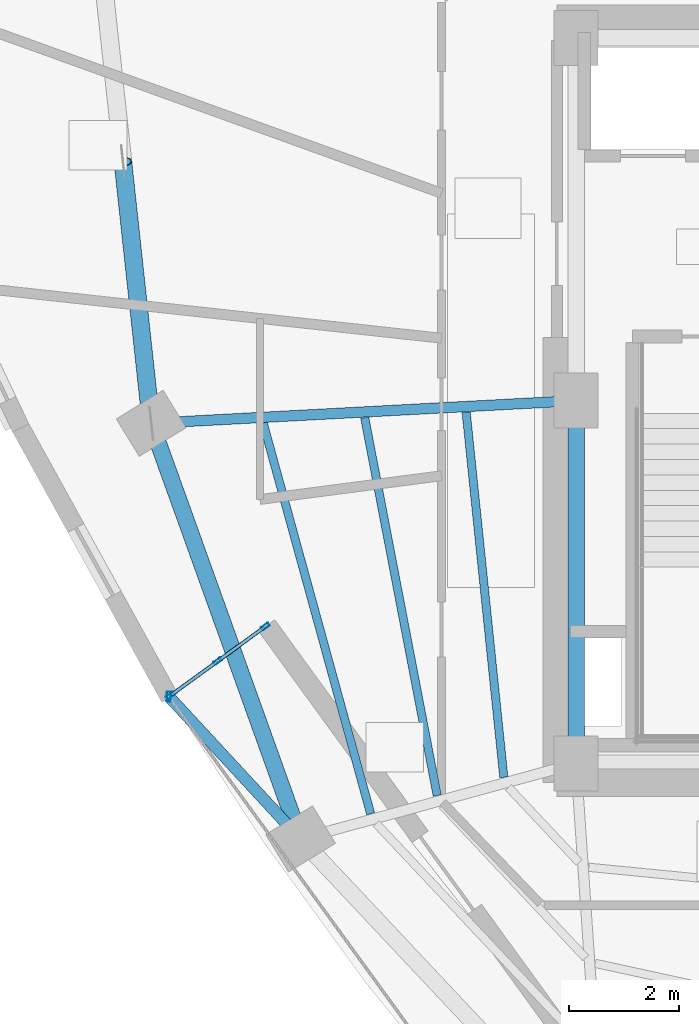
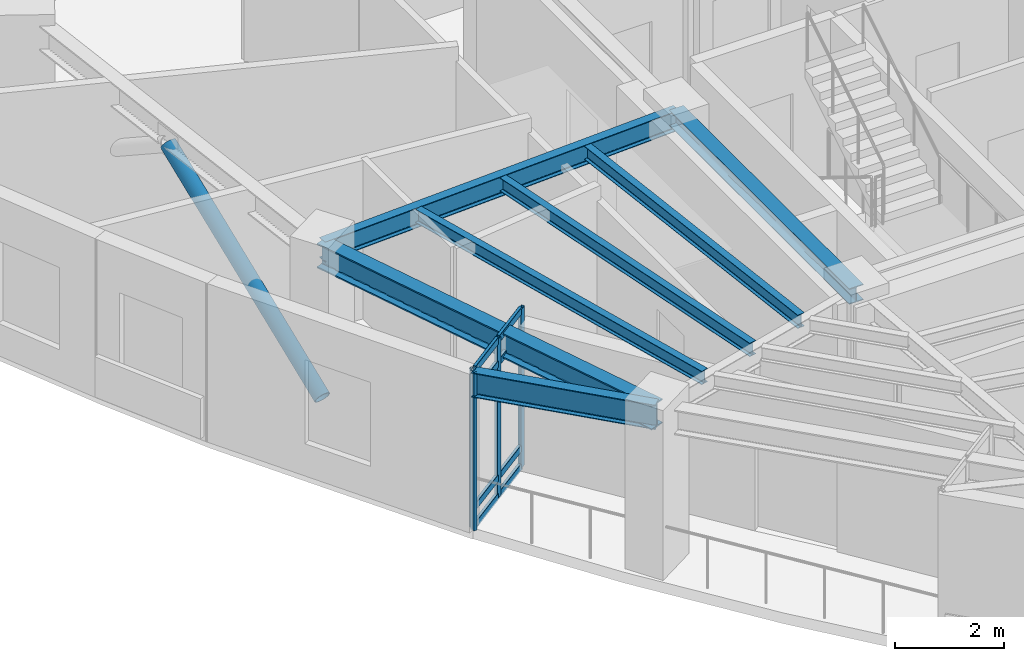
# One storey, part 4 of 13: 13 members, 7 beams, 1 element without a shape of its own.
"""IFC4 building model written with IfcOpenShell, lengths in metres."""

from ifc_helpers import new_model, si_unit, direction, frame, origin, origin_2d, place, context, subcontext, project, spatial, hollow_rectangle, hollow_circle, i_section, extrude, material, layer, layer_set, material_profile, profile_set, type_object, element, aggregate, save


model = new_model("IFC4")

# Units and contexts
model_context = context("Model", 3, precision=1e-05, world=origin(), true_north=direction((0.0, 1.0)))
body_context = subcontext(model_context, "Body", "Model", "MODEL_VIEW")
ifc_project = project(units=[si_unit("LENGTHUNIT", "METRE"), si_unit("AREAUNIT", "SQUARE_METRE"), si_unit("VOLUMEUNIT", "CUBIC_METRE"), si_unit("PLANEANGLEUNIT", "RADIAN"), si_unit("MASSUNIT", "GRAM", prefix="KILO")], contexts=[model_context])

# Site, building, storey
site_placement = place(None, origin())
site = spatial("IfcSite", under=ifc_project, at=site_placement, CompositionType="ELEMENT")
building_placement = place(site_placement, origin())
building = spatial("IfcBuilding", under=site, at=building_placement, Name="Ndelora Gate Hotel", CompositionType="ELEMENT")
storey_placement = place(building_placement, frame((0.0, 0.0, 228.35009765625)))
storey = spatial("IfcBuildingStorey", under=building, at=storey_placement, Name="L57", CompositionType="ELEMENT", Elevation=228.35009765625)

# Beams
ifc_material_1 = material(Name="Steel S355", Category="steel")
ifc_material_profile_1 = material_profile(ifc_material_1, i_section(OverallWidth=0.300048828125, OverallDepth=0.35009765625, WebThickness=0.010009765625, FlangeThickness=0.017578125, FilletRadius=0.027099609375, at=origin_2d()), Name="HEA 360")
ifc_profile_set_1 = profile_set([ifc_material_profile_1], Name="Steel S355")
beam_type_1 = type_object("IfcBeamType", Name="BM-CORE-350", PredefinedType="BEAM", material=ifc_profile_set_1)
beam_1_placement = place(storey_placement, frame((-8.0, -6.60009765625, 3.375), z_axis=(0.0, 1.0, 0.0), x_axis=(-1.0, 0.0, 0.0)))
element("IfcBeam", 1, at=beam_1_placement, inside=storey, type_object=beam_type_1, Name="L57 Core Tie Girder CC1-CC8", PredefinedType="BEAM", context=body_context, shape_type="SweptSolid", body=[
    extrude(i_section(OverallWidth=0.300048828125, OverallDepth=0.35009765625, WebThickness=0.010009765625, FlangeThickness=0.017578125, FilletRadius=0.027099609375, at=origin_2d()), origin(), (0.0, 0.0, 1.0), 6.60009765625),
])
ifc_material_profile_2 = material_profile(ifc_material_1, i_section(OverallWidth=0.14990234375, OverallDepth=0.300048828125, WebThickness=0.007080078125, FlangeThickness=0.0107421875, FilletRadius=0.014892578125, at=origin_2d()), Name="IPE 300")
ifc_profile_set_2 = profile_set([ifc_material_profile_2], Name="Steel S355")
beam_type_2 = type_object("IfcBeamType", Name="BM-JST-300", PredefinedType="JOIST", material=ifc_profile_set_2)
beam_2_placement = place(storey_placement, frame((-9.9990234375, -0.21142578125, 3.39990234375), z_axis=(0.10260596827, -0.994722079415, 0.0), x_axis=(0.994722079415, 0.10260596827, 0.0)))
element("IfcBeam", 2, at=beam_2_placement, inside=storey, type_object=beam_type_2, Name="L57 Secondary Composite Floor Joist IN-2", PredefinedType="JOIST", context=body_context, shape_type="SweptSolid", body=[
    extrude(i_section(OverallWidth=0.14990234375, OverallDepth=0.300048828125, WebThickness=0.007080078125, FlangeThickness=0.0107421875, FilletRadius=0.014892578125, at=origin_2d()), origin(), (0.0, 0.0, 1.0), 6.676513671875),
])
beam_3_placement = place(storey_placement, frame((-11.84521484375, -0.30908203125, 3.39990234375), z_axis=(0.188470955684, -0.982078764083, 0.0), x_axis=(0.982078764083, 0.188470955684, 0.0)))
element("IfcBeam", 3, at=beam_3_placement, inside=storey, type_object=beam_type_2, Name="L57 Secondary Composite Floor Joist MID-2", PredefinedType="JOIST", context=body_context, shape_type="SweptSolid", body=[
    extrude(i_section(OverallWidth=0.14990234375, OverallDepth=0.300048828125, WebThickness=0.007080078125, FlangeThickness=0.0107421875, FilletRadius=0.014892578125, at=origin_2d()), origin(), (0.0, 0.0, 1.0), 7.000244140625),
])
beam_4_placement = place(storey_placement, frame((-13.6923828125, -0.406005859375, 3.39990234375), z_axis=(0.2652180483, -0.964188460238, 0.0), x_axis=(0.964188460238, 0.2652180483, 0.0)))
element("IfcBeam", 4, at=beam_4_placement, inside=storey, type_object=beam_type_2, Name="L57 Secondary Composite Floor Joist OUT-2", PredefinedType="JOIST", context=body_context, shape_type="SweptSolid", body=[
    extrude(i_section(OverallWidth=0.14990234375, OverallDepth=0.300048828125, WebThickness=0.007080078125, FlangeThickness=0.0107421875, FilletRadius=0.014892578125, at=origin_2d()), origin(), (0.0, 0.0, 1.0), 7.37353515625),
])
ifc_material_profile_3 = material_profile(ifc_material_1, i_section(OverallWidth=0.18994140625, OverallDepth=0.449951171875, WebThickness=0.009521484375, FlangeThickness=0.0146484375, FilletRadius=0.02099609375, at=origin_2d()), Name="IPE 450")
ifc_profile_set_3 = profile_set([ifc_material_profile_3], Name="Steel S355")
beam_type_3 = type_object("IfcBeamType", Name="BM-RAD-450", PredefinedType="BEAM", material=ifc_profile_set_3)
beam_5_placement = place(storey_placement, frame((-8.0, 0.0, 3.324951171875), z_axis=(-0.998583554121, -0.053206065814, 0.0), x_axis=(0.053206065814, -0.998583554121, 0.0)))
element("IfcBeam", 5, at=beam_5_placement, inside=storey, type_object=beam_type_3, Name="L57 Radial Floor Girder 2", PredefinedType="BEAM", context=body_context, shape_type="SweptSolid", body=[
    extrude(i_section(OverallWidth=0.18994140625, OverallDepth=0.449951171875, WebThickness=0.009521484375, FlangeThickness=0.0146484375, FilletRadius=0.02099609375, at=origin_2d()), origin(), (0.0, 0.0, 1.0), 7.740966796875),
])
ifc_material_profile_4 = material_profile(ifc_material_1, i_section(OverallWidth=0.2099609375, OverallDepth=0.550048828125, WebThickness=0.010986328125, FlangeThickness=0.01708984375, FilletRadius=0.02392578125, at=origin_2d()), Name="IPE 550")
ifc_profile_set_4 = profile_set([ifc_material_profile_4], Name="Steel S355")
beam_type_4 = type_object("IfcBeamType", Name="BM-RAD-550", PredefinedType="BEAM", material=ifc_profile_set_4)
beam_6_placement = place(storey_placement, frame((-13.011962890625, -7.973876953125, 3.27490234375), z_axis=(-0.679096061615, 0.734049411892, 0.0), x_axis=(-0.734049411892, -0.679096061615, 0.0)))
element("IfcBeam", 6, at=beam_6_placement, inside=storey, type_object=beam_type_4, Name="L57 Sky-Garden Loggia Column Bracket 1", PredefinedType="BEAM", context=body_context, shape_type="SweptSolid", body=[
    extrude(i_section(OverallWidth=0.2099609375, OverallDepth=0.550048828125, WebThickness=0.010986328125, FlangeThickness=0.01708984375, FilletRadius=0.02392578125, at=origin_2d()), origin(), (0.0, 0.0, 1.0), 3.527587890625),
])
ifc_material_profile_5 = material_profile(ifc_material_1, i_section(OverallWidth=0.300048828125, OverallDepth=0.550048828125, WebThickness=0.014892578125, FlangeThickness=0.029052734375, FilletRadius=0.027099609375, at=origin_2d()), Name="HEB 550")
ifc_profile_set_5 = profile_set([ifc_material_profile_5], Name="Steel S355")
beam_type_5 = type_object("IfcBeamType", Name="BM-RING-550", PredefinedType="SPANDREL", material=ifc_profile_set_5)
beam_7_placement = place(storey_placement, frame((-15.72998046875, -0.411865234375, 3.27490234375), z_axis=(0.338244972382, -0.941058095262, 0.0), x_axis=(0.941058095262, 0.338244972382, 0.0)))
element("IfcBeam", 7, at=beam_7_placement, inside=storey, type_object=beam_type_5, Name="L57 Perimeter Spandrel Girder 2", PredefinedType="SPANDREL", context=body_context, shape_type="SweptSolid", body=[
    extrude(i_section(OverallWidth=0.300048828125, OverallDepth=0.550048828125, WebThickness=0.014892578125, FlangeThickness=0.029052734375, FilletRadius=0.027099609375, at=origin_2d()), origin(), (0.0, 0.0, 1.0), 8.03564453125),
])

# Curtain wall, members
ifc_material_2 = material(Name="Bronze Anodised Unitised Aluminium and Low-E Glass", Category="aluminium")
ifc_layer = layer(ifc_material_2, 0.199951171875)
ifc_layer_set = layer_set([ifc_layer], Name="Bronze Anodised Unitised Aluminium and Low-E Glass")
curtain_wall_type = type_object("IfcCurtainWallType", Name="CW-SYS-3", PredefinedType="NOTDEFINED", material=ifc_layer_set)
curtain_wall_placement = place(storey_placement, origin())
curtain_wall = element("IfcCurtainWall", 8, at=curtain_wall_placement, inside=storey, type_object=curtain_wall_type, Name="L57 Sky-Garden Loggia Side Curtain Wall CW3-1", PredefinedType="NOTDEFINED")
ifc_material_3 = material(Name="Bronze Anodised Aluminium 6063-T6", Category="aluminium")
ifc_material_profile_6 = material_profile(ifc_material_3, hollow_rectangle(XDim=0.06494140625, YDim=0.159912109375, WallThickness=0.00390625, InnerFilletRadius=0.00390625, OuterFilletRadius=0.008056640625, at=origin_2d()), Name="ALU 160x65x4")
ifc_profile_set_6 = profile_set([ifc_material_profile_6], Name="Bronze Anodised Aluminium 6063-T6")
member_type_1 = type_object("IfcMemberType", Name="MB-CW-MUL150", PredefinedType="MULLION", material=ifc_profile_set_6)
member_1_placement = place(storey_placement, frame((-13.65380859375, -4.110595703125, -0.004150390625), z_axis=(0.0, 0.0, 1.0), x_axis=(0.587785135859, -0.809017078969, 0.0)))
member_1 = element("IfcMember", 9, at=member_1_placement, type_object=member_type_1, Name="CW3 mullion 1", PredefinedType="MULLION", context=body_context, shape_type="SweptSolid", body=[
    extrude(hollow_rectangle(XDim=0.06494140625, YDim=0.159912109375, WallThickness=0.00390625, InnerFilletRadius=0.00390625, OuterFilletRadius=0.008056640625, at=origin_2d()), origin(), (0.0, 0.0, 1.0), 3.55810546875),
])
member_2_placement = place(storey_placement, frame((-14.517578125, -4.738037109375, -0.004150390625), z_axis=(0.0, 0.0, 1.0), x_axis=(0.587785135859, -0.809017078969, 0.0)))
member_2 = element("IfcMember", 10, at=member_2_placement, type_object=member_type_1, Name="CW3 mullion 2", PredefinedType="MULLION", context=body_context, shape_type="SweptSolid", body=[
    extrude(hollow_rectangle(XDim=0.06494140625, YDim=0.159912109375, WallThickness=0.00390625, InnerFilletRadius=0.00390625, OuterFilletRadius=0.008056640625, at=origin_2d()), origin(), (0.0, 0.0, 1.0), 3.55810546875),
])
member_3_placement = place(storey_placement, frame((-15.381103515625, -5.365478515625, -0.004150390625), z_axis=(0.0, 0.0, 1.0), x_axis=(0.587785135859, -0.809017078969, 0.0)))
member_3 = element("IfcMember", 11, at=member_3_placement, type_object=member_type_1, Name="CW3 mullion 3", PredefinedType="MULLION", context=body_context, shape_type="SweptSolid", body=[
    extrude(hollow_rectangle(XDim=0.06494140625, YDim=0.159912109375, WallThickness=0.00390625, InnerFilletRadius=0.00390625, OuterFilletRadius=0.008056640625, at=origin_2d()), origin(), (0.0, 0.0, 1.0), 3.55810546875),
])
ifc_material_profile_7 = material_profile(ifc_material_3, hollow_rectangle(XDim=0.070068359375, YDim=0.179931640625, WallThickness=0.0048828125, InnerFilletRadius=0.0048828125, OuterFilletRadius=0.010009765625, at=origin_2d()), Name="ALU 180x70x5")
ifc_profile_set_7 = profile_set([ifc_material_profile_7], Name="Bronze Anodised Aluminium 6063-T6")
member_type_2 = type_object("IfcMemberType", Name="MB-CW-MUL180", PredefinedType="MULLION", material=ifc_profile_set_7)
member_4_placement = place(storey_placement, frame((-15.407470703125, -5.384521484375, 0.0), z_axis=(0.0, 0.0, 1.0), x_axis=(1.0, 0.0, 0.0)))
member_4 = element("IfcMember", 12, at=member_4_placement, type_object=member_type_2, Name="L57 Sky-Garden Loggia Corner Mullion Post 1", PredefinedType="MULLION", context=body_context, shape_type="SweptSolid", body=[
    extrude(hollow_rectangle(XDim=0.070068359375, YDim=0.179931640625, WallThickness=0.0048828125, InnerFilletRadius=0.0048828125, OuterFilletRadius=0.010009765625, at=origin_2d()), origin(), (0.0, 0.0, 1.0), 3.5498046875),
])
ifc_material_profile_8 = material_profile(ifc_material_3, hollow_rectangle(XDim=0.06494140625, YDim=0.159912109375, WallThickness=0.00390625, InnerFilletRadius=0.00390625, OuterFilletRadius=0.008056640625, at=origin_2d()), Name="ALU 160x65x4")
ifc_profile_set_8 = profile_set([ifc_material_profile_8], Name="Bronze Anodised Aluminium 6063-T6")
member_type_3 = type_object("IfcMemberType", Name="MB-CW-TRN150", PredefinedType="USERDEFINED", material=ifc_profile_set_8)
member_5_placement = place(storey_placement, frame((-13.67529296875, -4.126220703125, 0.032470703125), z_axis=(-0.809089769205, -0.58768507329, 0.0), x_axis=(0.58768507329, -0.809089769205, 0.0)))
member_5 = element("IfcMember", 13, at=member_5_placement, type_object=member_type_3, Name="CW3 transom 1.1", ObjectType="TRANSOM", PredefinedType="USERDEFINED", context=body_context, shape_type="SweptSolid", body=[
    extrude(hollow_rectangle(XDim=0.06494140625, YDim=0.159912109375, WallThickness=0.00390625, InnerFilletRadius=0.00390625, OuterFilletRadius=0.008056640625, at=origin_2d()), origin(), (0.0, 0.0, 1.0), 1.014404296875),
])
member_6_placement = place(storey_placement, frame((-13.67529296875, -4.126220703125, 0.449951171875), z_axis=(-0.809089769205, -0.58768507329, 0.0), x_axis=(0.58768507329, -0.809089769205, 0.0)))
member_6 = element("IfcMember", 14, at=member_6_placement, type_object=member_type_3, Name="CW3 transom 1.2", ObjectType="TRANSOM", PredefinedType="USERDEFINED", context=body_context, shape_type="SweptSolid", body=[
    extrude(hollow_rectangle(XDim=0.06494140625, YDim=0.159912109375, WallThickness=0.00390625, InnerFilletRadius=0.00390625, OuterFilletRadius=0.008056640625, at=origin_2d()), origin(), (0.0, 0.0, 1.0), 1.014404296875),
])
member_7_placement = place(storey_placement, frame((-13.67529296875, -4.126220703125, 3.0), z_axis=(-0.809089769205, -0.58768507329, 0.0), x_axis=(0.58768507329, -0.809089769205, 0.0)))
member_7 = element("IfcMember", 15, at=member_7_placement, type_object=member_type_3, Name="CW3 transom 1.3", ObjectType="TRANSOM", PredefinedType="USERDEFINED", context=body_context, shape_type="SweptSolid", body=[
    extrude(hollow_rectangle(XDim=0.06494140625, YDim=0.159912109375, WallThickness=0.00390625, InnerFilletRadius=0.00390625, OuterFilletRadius=0.008056640625, at=origin_2d()), origin(), (0.0, 0.0, 1.0), 1.014404296875),
])
member_8_placement = place(storey_placement, frame((-13.67529296875, -4.126220703125, 3.517333984375), z_axis=(-0.809089769205, -0.58768507329, 0.0), x_axis=(0.58768507329, -0.809089769205, 0.0)))
member_8 = element("IfcMember", 16, at=member_8_placement, type_object=member_type_3, Name="CW3 transom 1.4", ObjectType="TRANSOM", PredefinedType="USERDEFINED", context=body_context, shape_type="SweptSolid", body=[
    extrude(hollow_rectangle(XDim=0.06494140625, YDim=0.159912109375, WallThickness=0.00390625, InnerFilletRadius=0.00390625, OuterFilletRadius=0.008056640625, at=origin_2d()), origin(), (0.0, 0.0, 1.0), 1.014404296875),
])
member_9_placement = place(storey_placement, frame((-14.538818359375, -4.753662109375, 0.032470703125), z_axis=(-0.809089769205, -0.58768507329, 0.0), x_axis=(0.58768507329, -0.809089769205, 0.0)))
member_9 = element("IfcMember", 17, at=member_9_placement, type_object=member_type_3, Name="CW3 transom 2.1", ObjectType="TRANSOM", PredefinedType="USERDEFINED", context=body_context, shape_type="SweptSolid", body=[
    extrude(hollow_rectangle(XDim=0.06494140625, YDim=0.159912109375, WallThickness=0.00390625, InnerFilletRadius=0.00390625, OuterFilletRadius=0.008056640625, at=origin_2d()), origin(), (0.0, 0.0, 1.0), 1.014404296875),
])
member_10_placement = place(storey_placement, frame((-14.538818359375, -4.753662109375, 0.449951171875), z_axis=(-0.809089769205, -0.58768507329, 0.0), x_axis=(0.58768507329, -0.809089769205, 0.0)))
member_10 = element("IfcMember", 18, at=member_10_placement, type_object=member_type_3, Name="CW3 transom 2.2", ObjectType="TRANSOM", PredefinedType="USERDEFINED", context=body_context, shape_type="SweptSolid", body=[
    extrude(hollow_rectangle(XDim=0.06494140625, YDim=0.159912109375, WallThickness=0.00390625, InnerFilletRadius=0.00390625, OuterFilletRadius=0.008056640625, at=origin_2d()), origin(), (0.0, 0.0, 1.0), 1.014404296875),
])
member_11_placement = place(storey_placement, frame((-14.538818359375, -4.753662109375, 3.0), z_axis=(-0.809089769205, -0.58768507329, 0.0), x_axis=(0.58768507329, -0.809089769205, 0.0)))
member_11 = element("IfcMember", 19, at=member_11_placement, type_object=member_type_3, Name="CW3 transom 2.3", ObjectType="TRANSOM", PredefinedType="USERDEFINED", context=body_context, shape_type="SweptSolid", body=[
    extrude(hollow_rectangle(XDim=0.06494140625, YDim=0.159912109375, WallThickness=0.00390625, InnerFilletRadius=0.00390625, OuterFilletRadius=0.008056640625, at=origin_2d()), origin(), (0.0, 0.0, 1.0), 1.014404296875),
])
member_12_placement = place(storey_placement, frame((-14.538818359375, -4.753662109375, 3.517333984375), z_axis=(-0.809089769205, -0.58768507329, 0.0), x_axis=(0.58768507329, -0.809089769205, 0.0)))
member_12 = element("IfcMember", 20, at=member_12_placement, type_object=member_type_3, Name="CW3 transom 2.4", ObjectType="TRANSOM", PredefinedType="USERDEFINED", context=body_context, shape_type="SweptSolid", body=[
    extrude(hollow_rectangle(XDim=0.06494140625, YDim=0.159912109375, WallThickness=0.00390625, InnerFilletRadius=0.00390625, OuterFilletRadius=0.008056640625, at=origin_2d()), origin(), (0.0, 0.0, 1.0), 1.014404296875),
])
aggregate(curtain_wall, [member_1, member_2, member_3, member_5, member_6, member_7, member_8, member_9, member_10, member_11, member_12, member_4])

# Member
ifc_material_profile_9 = material_profile(ifc_material_1, hollow_circle(Radius=0.161865234375, WallThickness=0.01611328125, at=origin_2d()), Name="CHS 323.9x16")
ifc_profile_set_9 = profile_set([ifc_material_profile_9], Name="Steel S355")
member_type_4 = type_object("IfcMemberType", Name="MB-TUBE-324", PredefinedType="BRACE", material=ifc_profile_set_9)
member_13_placement = place(storey_placement, frame((-15.72998046875, -0.411865234375, 0.02001953125), z_axis=(-0.091316139457, 0.843851231796, 0.528749904276), x_axis=(-0.994195839876, -0.107585463576, 0.0)))
element("IfcMember", 21, at=member_13_placement, inside=storey, type_object=member_type_4, Name="L57 Perimeter Braced-Tube Diagonal 1B", PredefinedType="BRACE", context=body_context, shape_type="SweptSolid", body=[
    extrude(hollow_circle(Radius=0.161865234375, WallThickness=0.01611328125, at=origin_2d()), origin(), (0.0, 0.0, 1.0), 5.635986328125),
])

save(model, "model.ifc")
